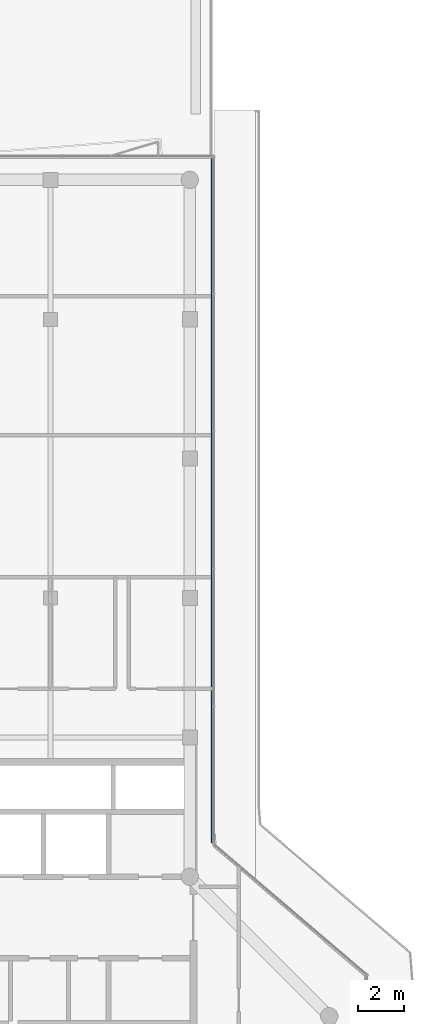
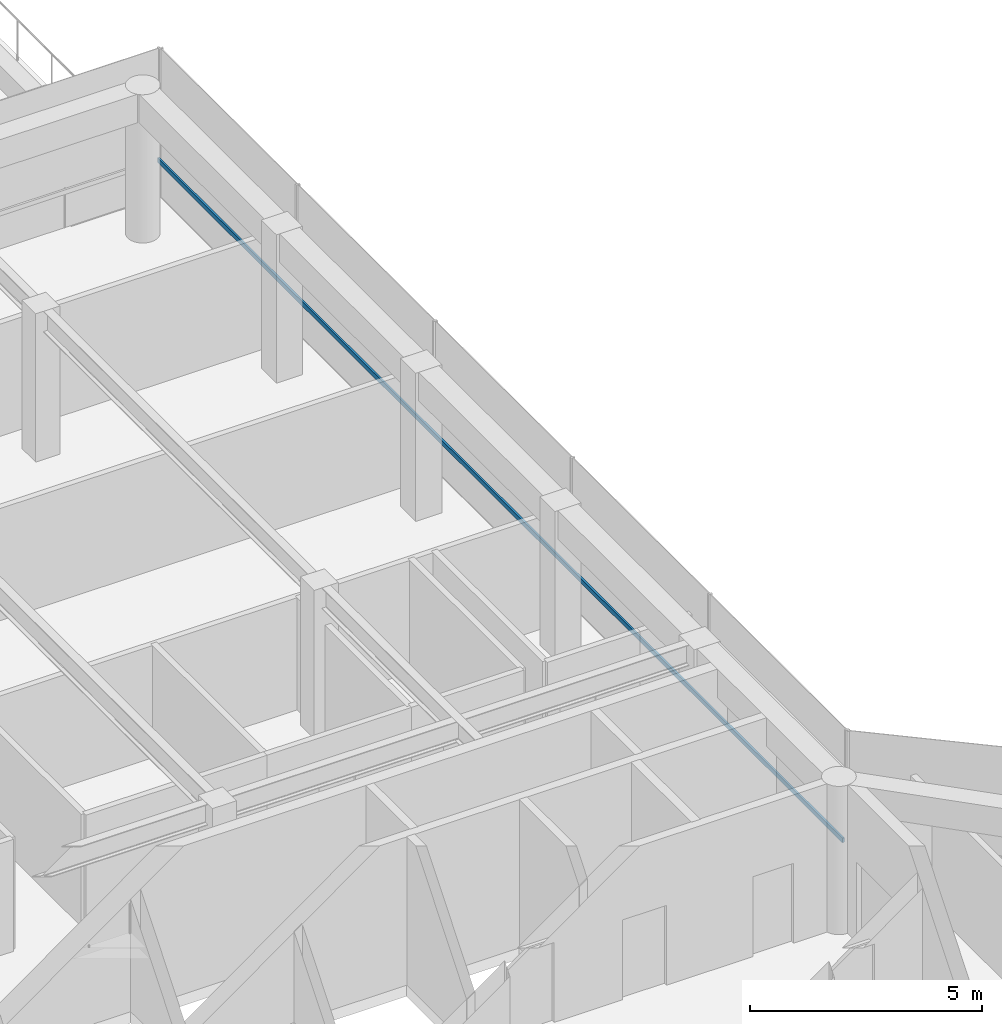
# One storey, part 11 of 20: 1 member, 1 element without a shape of its own.
"""IFC4 building model written with IfcOpenShell, lengths in metres."""

from ifc_helpers import new_model, si_unit, direction, frame, origin, origin_2d, place, context, subcontext, project, spatial, rectangle, extrude, material, layer, layer_set, material_profile, profile_set, type_object, element, aggregate, save


model = new_model("IFC4")

# Units and contexts
model_context = context("Model", 3, precision=1e-05, world=origin(), true_north=direction((0.0, 1.0)))
body_context = subcontext(model_context, "Body", "Model", "MODEL_VIEW")
ifc_project = project(units=[si_unit("LENGTHUNIT", "METRE"), si_unit("AREAUNIT", "SQUARE_METRE"), si_unit("VOLUMEUNIT", "CUBIC_METRE"), si_unit("PLANEANGLEUNIT", "RADIAN"), si_unit("MASSUNIT", "GRAM", prefix="KILO")], contexts=[model_context])

# Site, building, storey
site_placement = place(None, origin())
site = spatial("IfcSite", under=ifc_project, at=site_placement, CompositionType="ELEMENT")
building_placement = place(site_placement, origin())
building = spatial("IfcBuilding", under=site, at=building_placement, Name="Welwitschia Terrace Campus", CompositionType="ELEMENT")
storey_placement = place(building_placement, frame((0.0, 0.0, 314.60009765625)))
storey = spatial("IfcBuildingStorey", under=building, at=storey_placement, Name="L70", CompositionType="ELEMENT", Elevation=314.60009765625)

# Curtain wall, member
ifc_material_1 = material(Name="Bronze anodised aluminium", Category="aluminium")
ifc_layer = layer(ifc_material_1, 0.10009765625)
ifc_layer_set = layer_set([ifc_layer], Name="Bronze anodised aluminium")
curtain_wall_type = type_object("IfcCurtainWallType", Name="Curtain wall CW5 crown 6000", PredefinedType="NOTDEFINED", material=ifc_layer_set)
curtain_wall_placement = place(storey_placement, origin())
curtain_wall = element("IfcCurtainWall", 1, at=curtain_wall_placement, inside=storey, type_object=curtain_wall_type, Name="CW L70.5.0", PredefinedType="NOTDEFINED")
ifc_material_2 = material(Name="Bronze anodised aluminium", Category="aluminium")
ifc_material_profile = material_profile(ifc_material_2, rectangle(XDim=0.050048828125, YDim=0.1201171875, at=origin_2d()))
ifc_profile_set = profile_set([ifc_material_profile], Name="Bronze anodised aluminium")
member_type = type_object("IfcMemberType", Name="Transom 50x120", PredefinedType="USERDEFINED", material=ifc_profile_set)
member_placement = place(storey_placement, frame((24.955078125, 21.46240234375, 1.0), z_axis=(0.0, 1.0, 0.0), x_axis=(-1.0, 0.0, 0.0)))
member = element("IfcMember", 2, at=member_placement, type_object=member_type, Name="Transom L70.5.0", ObjectType="TRANSOM", PredefinedType="USERDEFINED", context=body_context, shape_type="SweptSolid", body=[
    extrude(rectangle(XDim=0.050048828125, YDim=0.1201171875, at=origin_2d()), origin(), (0.0, 0.0, 1.0), 29.517578125),
])
aggregate(curtain_wall, [member])

save(model, "model.ifc")
